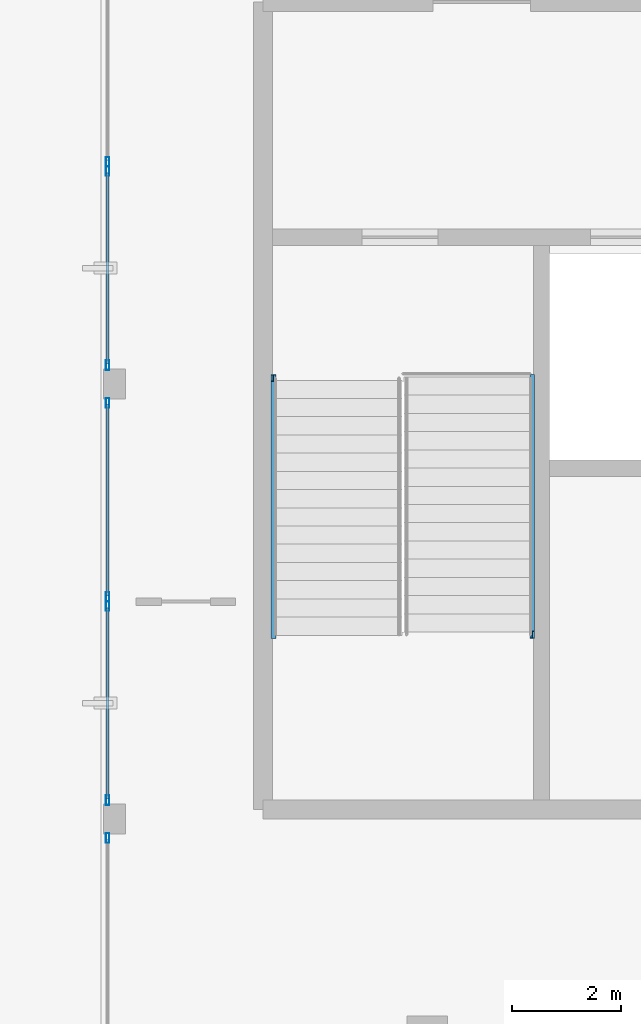
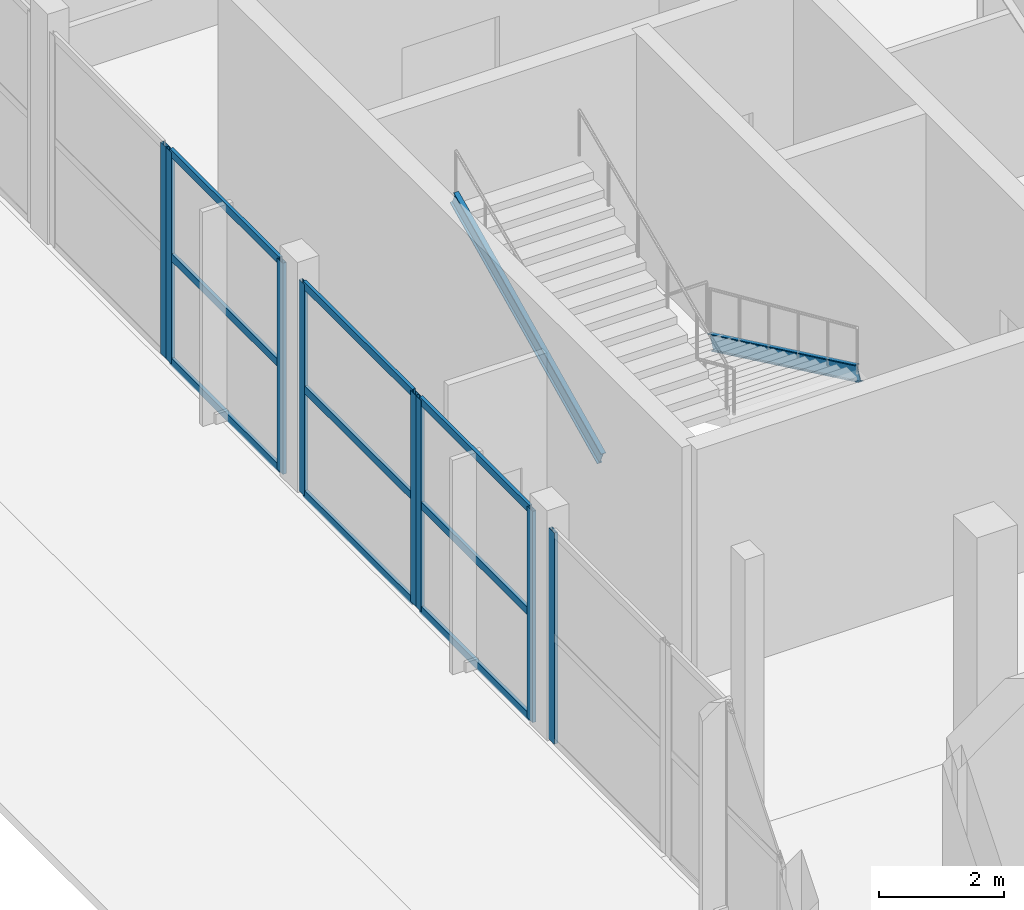
# One storey, part 38 of 123: 19 members, 5 elements without a shape of their own.
"""IFC4 building model written with IfcOpenShell, lengths in metres."""

from ifc_helpers import new_model, si_unit, direction, frame, origin, origin_2d, place, context, subcontext, project, spatial, hollow_rectangle, i_section, extrude, material, layer, layer_set, material_profile, profile_set, type_object, element, aggregate, save


model = new_model("IFC4")

# Units and contexts
model_context = context("Model", 3, precision=1e-05, world=origin(), true_north=direction((0.0, 1.0)))
body_context = subcontext(model_context, "Body", "Model", "MODEL_VIEW")
ifc_project = project(units=[si_unit("LENGTHUNIT", "METRE"), si_unit("AREAUNIT", "SQUARE_METRE"), si_unit("VOLUMEUNIT", "CUBIC_METRE"), si_unit("PLANEANGLEUNIT", "RADIAN"), si_unit("MASSUNIT", "GRAM", prefix="KILO")], contexts=[model_context])

# Site, building, storey
site_placement = place(None, origin())
site = spatial("IfcSite", under=ifc_project, at=site_placement, CompositionType="ELEMENT")
building_placement = place(site_placement, origin())
building = spatial("IfcBuilding", under=site, at=building_placement, Name="Kalgoora Escarpment Arena", CompositionType="ELEMENT")
storey_placement = place(building_placement, frame((0.0, 0.0, 9.89990234375)))
storey = spatial("IfcBuildingStorey", under=building, at=storey_placement, Name="L02", CompositionType="ELEMENT", Elevation=9.89990234375)

# Curtain wall, member
ifc_material_1 = material(Name=" Champagne anodised aluminium & double-glazed low-E", Category="aluminium")
ifc_layer_1 = layer(ifc_material_1, 0.166015625)
ifc_layer_set_1 = layer_set([ifc_layer_1], Name="CW-UNIT-04")
curtain_wall_type_1 = type_object("IfcCurtainWallType", Name="CW-UNIT-04", PredefinedType="NOTDEFINED", material=ifc_layer_set_1)
curtain_wall_1_placement = place(storey_placement, origin())
curtain_wall_1 = element("IfcCurtainWall", 1, at=curtain_wall_1_placement, inside=storey, type_object=curtain_wall_type_1, Name="L02 unitised facade curtain wall 063", PredefinedType="NOTDEFINED")
ifc_material_2 = material(Name="Anodised aluminium 6063-T6", Category="aluminium")
ifc_material_profile_1 = material_profile(ifc_material_2, hollow_rectangle(XDim=0.06494140625, YDim=0.179931640625, WallThickness=0.00390625, at=origin_2d()))
ifc_profile_set_1 = profile_set([ifc_material_profile_1], Name="Anodised aluminium 6063-T6")
member_type_1 = type_object("IfcMemberType", Name="MEM-CW-MULL-180", PredefinedType="MULLION", material=ifc_profile_set_1)
member_1_placement = place(storey_placement, frame((8.52001953125, 67.6533203125, 0.02001953125), z_axis=(0.0, 0.0, 1.0), x_axis=(-1.0, 0.0, 0.0)))
member_1 = element("IfcMember", 2, at=member_1_placement, type_object=member_type_1, Name="CW-04 mullion 2", PredefinedType="MULLION", context=body_context, shape_type="SweptSolid", body=[
    extrude(hollow_rectangle(XDim=0.06494140625, YDim=0.179931640625, WallThickness=0.00390625, at=origin_2d()), origin(), (0.0, 0.0, 1.0), 4.130126953125),
])
aggregate(curtain_wall_1, [member_1])

# Curtain wall, members
ifc_material_3 = material(Name=" Champagne anodised aluminium & double-glazed low-E", Category="aluminium")
ifc_layer_2 = layer(ifc_material_3, 0.14990234375)
ifc_layer_set_2 = layer_set([ifc_layer_2], Name="CW-UNIT-05")
curtain_wall_type_2 = type_object("IfcCurtainWallType", Name="CW-UNIT-05", PredefinedType="NOTDEFINED", material=ifc_layer_set_2)
curtain_wall_2_placement = place(storey_placement, origin())
curtain_wall_2 = element("IfcCurtainWall", 3, at=curtain_wall_2_placement, inside=storey, type_object=curtain_wall_type_2, Name="L02 unitised facade curtain wall 064", PredefinedType="NOTDEFINED")
member_2_placement = place(storey_placement, frame((8.52001953125, 68.3466796875, 0.02001953125), z_axis=(0.0, 0.0, 1.0), x_axis=(-1.0, 0.0, 0.0)))
member_2 = element("IfcMember", 4, at=member_2_placement, type_object=member_type_1, Name="CW-05 mullion 1", PredefinedType="MULLION", context=body_context, shape_type="SweptSolid", body=[
    extrude(hollow_rectangle(XDim=0.06494140625, YDim=0.179931640625, WallThickness=0.00390625, at=origin_2d()), origin(), (0.0, 0.0, 1.0), 4.130126953125),
])
member_3_placement = place(storey_placement, frame((8.52001953125, 71.91748046875, 0.02001953125), z_axis=(0.0, 0.0, 1.0), x_axis=(-1.0, 0.0, 0.0)))
member_3 = element("IfcMember", 5, at=member_3_placement, type_object=member_type_1, Name="CW-05 mullion 2", PredefinedType="MULLION", context=body_context, shape_type="SweptSolid", body=[
    extrude(hollow_rectangle(XDim=0.06494140625, YDim=0.179931640625, WallThickness=0.00390625, at=origin_2d()), origin(), (0.0, 0.0, 1.0), 4.130126953125),
])

ifc_material_4 = material(Name=" Champagne anodised aluminium & double-glazed low-E", Category="aluminium")
ifc_layer_3 = layer(ifc_material_4, 0.154052734375)
ifc_layer_set_3 = layer_set([ifc_layer_3], Name="CW-UNIT-06")
curtain_wall_type_3 = type_object("IfcCurtainWallType", Name="CW-UNIT-06", PredefinedType="NOTDEFINED", material=ifc_layer_set_3)
curtain_wall_3_placement = place(storey_placement, origin())
curtain_wall_3 = element("IfcCurtainWall", 6, at=curtain_wall_3_placement, inside=storey, type_object=curtain_wall_type_3, Name="L02 unitised facade curtain wall 065", PredefinedType="NOTDEFINED")
member_4_placement = place(storey_placement, frame((8.52001953125, 72.08251953125, 0.02001953125), z_axis=(0.0, 0.0, 1.0), x_axis=(-1.0, 0.0, 0.0)))
member_4 = element("IfcMember", 7, at=member_4_placement, type_object=member_type_1, Name="CW-06 mullion 1", PredefinedType="MULLION", context=body_context, shape_type="SweptSolid", body=[
    extrude(hollow_rectangle(XDim=0.06494140625, YDim=0.179931640625, WallThickness=0.00390625, at=origin_2d()), origin(), (0.0, 0.0, 1.0), 4.130126953125),
])
member_5_placement = place(storey_placement, frame((8.52001953125, 75.6533203125, 0.02001953125), z_axis=(0.0, 0.0, 1.0), x_axis=(-1.0, 0.0, 0.0)))
member_5 = element("IfcMember", 8, at=member_5_placement, type_object=member_type_1, Name="CW-06 mullion 2", PredefinedType="MULLION", context=body_context, shape_type="SweptSolid", body=[
    extrude(hollow_rectangle(XDim=0.06494140625, YDim=0.179931640625, WallThickness=0.00390625, at=origin_2d()), origin(), (0.0, 0.0, 1.0), 4.130126953125),
])

ifc_material_5 = material(Name=" Champagne anodised aluminium & double-glazed low-E", Category="aluminium")
ifc_layer_4 = layer(ifc_material_5, 0.157958984375)
ifc_layer_set_4 = layer_set([ifc_layer_4], Name="CW-UNIT-07")
curtain_wall_type_4 = type_object("IfcCurtainWallType", Name="CW-UNIT-07", PredefinedType="NOTDEFINED", material=ifc_layer_set_4)
curtain_wall_4_placement = place(storey_placement, origin())
curtain_wall_4 = element("IfcCurtainWall", 9, at=curtain_wall_4_placement, inside=storey, type_object=curtain_wall_type_4, Name="L02 unitised facade curtain wall 066", PredefinedType="NOTDEFINED")
member_6_placement = place(storey_placement, frame((8.52001953125, 76.3466796875, 0.02001953125), z_axis=(0.0, 0.0, 1.0), x_axis=(-1.0, 0.0, 0.0)))
member_6 = element("IfcMember", 10, at=member_6_placement, type_object=member_type_1, Name="CW-07 mullion 1", PredefinedType="MULLION", context=body_context, shape_type="SweptSolid", body=[
    extrude(hollow_rectangle(XDim=0.06494140625, YDim=0.179931640625, WallThickness=0.00390625, at=origin_2d()), origin(), (0.0, 0.0, 1.0), 4.130126953125),
])
member_7_placement = place(storey_placement, frame((8.52001953125, 79.91748046875, 0.02001953125), z_axis=(0.0, 0.0, 1.0), x_axis=(-1.0, 0.0, 0.0)))
member_7 = element("IfcMember", 11, at=member_7_placement, type_object=member_type_1, Name="CW-07 mullion 2", PredefinedType="MULLION", context=body_context, shape_type="SweptSolid", body=[
    extrude(hollow_rectangle(XDim=0.06494140625, YDim=0.179931640625, WallThickness=0.00390625, at=origin_2d()), origin(), (0.0, 0.0, 1.0), 4.130126953125),
])

# Curtain wall, member
ifc_material_6 = material(Name=" Champagne anodised aluminium & double-glazed low-E", Category="aluminium")
ifc_layer_5 = layer(ifc_material_6, 0.162109375)
ifc_layer_set_5 = layer_set([ifc_layer_5], Name="CW-UNIT-08")
curtain_wall_type_5 = type_object("IfcCurtainWallType", Name="CW-UNIT-08", PredefinedType="NOTDEFINED", material=ifc_layer_set_5)
curtain_wall_5_placement = place(storey_placement, origin())
curtain_wall_5 = element("IfcCurtainWall", 12, at=curtain_wall_5_placement, inside=storey, type_object=curtain_wall_type_5, Name="L02 unitised facade curtain wall 067", PredefinedType="NOTDEFINED")
member_8_placement = place(storey_placement, frame((8.52001953125, 80.08251953125, 0.02001953125), z_axis=(0.0, 0.0, 1.0), x_axis=(-1.0, 0.0, 0.0)))
member_8 = element("IfcMember", 13, at=member_8_placement, type_object=member_type_1, Name="CW-08 mullion 1", PredefinedType="MULLION", context=body_context, shape_type="SweptSolid", body=[
    extrude(hollow_rectangle(XDim=0.06494140625, YDim=0.179931640625, WallThickness=0.00390625, at=origin_2d()), origin(), (0.0, 0.0, 1.0), 4.130126953125),
])
aggregate(curtain_wall_5, [member_8])

# Member
ifc_material_7 = material(Name="Anodised aluminium 6063-T6", Category="aluminium")
ifc_material_profile_2 = material_profile(ifc_material_7, hollow_rectangle(XDim=0.06005859375, YDim=0.14990234375, WallThickness=0.00341796875, at=origin_2d()))
ifc_profile_set_2 = profile_set([ifc_material_profile_2], Name="Anodised aluminium 6063-T6")
member_type_2 = type_object("IfcMemberType", Name="MEM-CW-TRAN-150", PredefinedType="USERDEFINED", material=ifc_profile_set_2)
member_9_placement = place(storey_placement, frame((8.52001953125, 68.379150390625, 0.050048828125), z_axis=(0.0, 1.0, 0.0), x_axis=(-1.0, 0.0, 0.0)))
member_9 = element("IfcMember", 14, at=member_9_placement, type_object=member_type_2, Name="CW-05 transom 1.1", ObjectType="TRANSOM", PredefinedType="USERDEFINED", context=body_context, shape_type="SweptSolid", body=[
    extrude(hollow_rectangle(XDim=0.06005859375, YDim=0.14990234375, WallThickness=0.00341796875, at=origin_2d()), origin(), (0.0, 0.0, 1.0), 3.505859375),
])

member_10_placement = place(storey_placement, frame((8.52001953125, 68.379150390625, 2.09521484375), z_axis=(0.0, 1.0, 0.0), x_axis=(-1.0, 0.0, 0.0)))
member_10 = element("IfcMember", 15, at=member_10_placement, type_object=member_type_2, Name="CW-05 transom 1.2", ObjectType="TRANSOM", PredefinedType="USERDEFINED", context=body_context, shape_type="SweptSolid", body=[
    extrude(hollow_rectangle(XDim=0.06005859375, YDim=0.14990234375, WallThickness=0.00341796875, at=origin_2d()), origin(), (0.0, 0.0, 1.0), 3.505859375),
])

member_11_placement = place(storey_placement, frame((8.52001953125, 68.379150390625, 4.1201171875), z_axis=(0.0, 1.0, 0.0), x_axis=(-1.0, 0.0, 0.0)))
member_11 = element("IfcMember", 16, at=member_11_placement, type_object=member_type_2, Name="CW-05 transom 1.3", ObjectType="TRANSOM", PredefinedType="USERDEFINED", context=body_context, shape_type="SweptSolid", body=[
    extrude(hollow_rectangle(XDim=0.06005859375, YDim=0.14990234375, WallThickness=0.00341796875, at=origin_2d()), origin(), (0.0, 0.0, 1.0), 3.505859375),
])

aggregate(curtain_wall_2, [member_2, member_3, member_9, member_10, member_11])

member_12_placement = place(storey_placement, frame((8.52001953125, 72.114990234375, 0.050048828125), z_axis=(0.0, 1.0, 0.0), x_axis=(-1.0, 0.0, 0.0)))
member_12 = element("IfcMember", 17, at=member_12_placement, type_object=member_type_2, Name="CW-06 transom 1.1", ObjectType="TRANSOM", PredefinedType="USERDEFINED", context=body_context, shape_type="SweptSolid", body=[
    extrude(hollow_rectangle(XDim=0.06005859375, YDim=0.14990234375, WallThickness=0.00341796875, at=origin_2d()), origin(), (0.0, 0.0, 1.0), 3.505859375),
])

member_13_placement = place(storey_placement, frame((8.52001953125, 72.114990234375, 2.09521484375), z_axis=(0.0, 1.0, 0.0), x_axis=(-1.0, 0.0, 0.0)))
member_13 = element("IfcMember", 18, at=member_13_placement, type_object=member_type_2, Name="CW-06 transom 1.2", ObjectType="TRANSOM", PredefinedType="USERDEFINED", context=body_context, shape_type="SweptSolid", body=[
    extrude(hollow_rectangle(XDim=0.06005859375, YDim=0.14990234375, WallThickness=0.00341796875, at=origin_2d()), origin(), (0.0, 0.0, 1.0), 3.505859375),
])

member_14_placement = place(storey_placement, frame((8.52001953125, 72.114990234375, 4.1201171875), z_axis=(0.0, 1.0, 0.0), x_axis=(-1.0, 0.0, 0.0)))
member_14 = element("IfcMember", 19, at=member_14_placement, type_object=member_type_2, Name="CW-06 transom 1.3", ObjectType="TRANSOM", PredefinedType="USERDEFINED", context=body_context, shape_type="SweptSolid", body=[
    extrude(hollow_rectangle(XDim=0.06005859375, YDim=0.14990234375, WallThickness=0.00341796875, at=origin_2d()), origin(), (0.0, 0.0, 1.0), 3.505859375),
])

aggregate(curtain_wall_3, [member_4, member_5, member_12, member_13, member_14])

member_15_placement = place(storey_placement, frame((8.52001953125, 76.379150390625, 0.050048828125), z_axis=(0.0, 1.0, 0.0), x_axis=(-1.0, 0.0, 0.0)))
member_15 = element("IfcMember", 20, at=member_15_placement, type_object=member_type_2, Name="CW-07 transom 1.1", ObjectType="TRANSOM", PredefinedType="USERDEFINED", context=body_context, shape_type="SweptSolid", body=[
    extrude(hollow_rectangle(XDim=0.06005859375, YDim=0.14990234375, WallThickness=0.00341796875, at=origin_2d()), origin(), (0.0, 0.0, 1.0), 3.505859375),
])

member_16_placement = place(storey_placement, frame((8.52001953125, 76.379150390625, 2.09521484375), z_axis=(0.0, 1.0, 0.0), x_axis=(-1.0, 0.0, 0.0)))
member_16 = element("IfcMember", 21, at=member_16_placement, type_object=member_type_2, Name="CW-07 transom 1.2", ObjectType="TRANSOM", PredefinedType="USERDEFINED", context=body_context, shape_type="SweptSolid", body=[
    extrude(hollow_rectangle(XDim=0.06005859375, YDim=0.14990234375, WallThickness=0.00341796875, at=origin_2d()), origin(), (0.0, 0.0, 1.0), 3.505859375),
])

member_17_placement = place(storey_placement, frame((8.52001953125, 76.379150390625, 4.1201171875), z_axis=(0.0, 1.0, 0.0), x_axis=(-1.0, 0.0, 0.0)))
member_17 = element("IfcMember", 22, at=member_17_placement, type_object=member_type_2, Name="CW-07 transom 1.3", ObjectType="TRANSOM", PredefinedType="USERDEFINED", context=body_context, shape_type="SweptSolid", body=[
    extrude(hollow_rectangle(XDim=0.06005859375, YDim=0.14990234375, WallThickness=0.00341796875, at=origin_2d()), origin(), (0.0, 0.0, 1.0), 3.505859375),
])

aggregate(curtain_wall_4, [member_6, member_7, member_15, member_16, member_17])

# Members
ifc_material_8 = material(Name="Structural steel AS/NZS 3679 (300 MPa)", Category="steel")
ifc_material_profile_3 = material_profile(ifc_material_8, i_section(OverallWidth=0.090087890625, OverallDepth=0.300048828125, WebThickness=0.008056640625, FlangeThickness=0.01611328125, at=origin_2d()))
ifc_profile_set_3 = profile_set([ifc_material_profile_3], Name="Structural steel AS/NZS 3679 (300 MPa)")
member_type_3 = type_object("IfcMemberType", Name="MEM-STRINGER-PFC", PredefinedType="STRINGER", material=ifc_profile_set_3)
for number, where, z_axis, x_axis, name in (
    (23, (16.330078125, 76.110107421875, -0.039794921875), (0.0, -0.902691297253, 0.430288765671), (1.0, 0.0, 0.0), "ST01 L02 steel stair stringer 1"),
    (24, (11.570068359375, 71.389892578125, 2.210205078125), (0.0, 0.902691297253, 0.430288765671), (-1.0, 0.0, 0.0), "ST01 L02 steel stair stringer 2"),
):
    element("IfcMember", number, at=place(storey_placement, frame(where, z_axis=z_axis, x_axis=x_axis)), inside=storey, type_object=member_type_3, Name=name, PredefinedType="STRINGER", context=body_context, shape_type="SweptSolid", body=[
        extrude(i_section(OverallWidth=0.090087890625, OverallDepth=0.300048828125, WebThickness=0.008056640625, FlangeThickness=0.01611328125, at=origin_2d()), origin(), (0.0, 0.0, 1.0), 5.22900390625),
    ])

save(model, "model.ifc")
